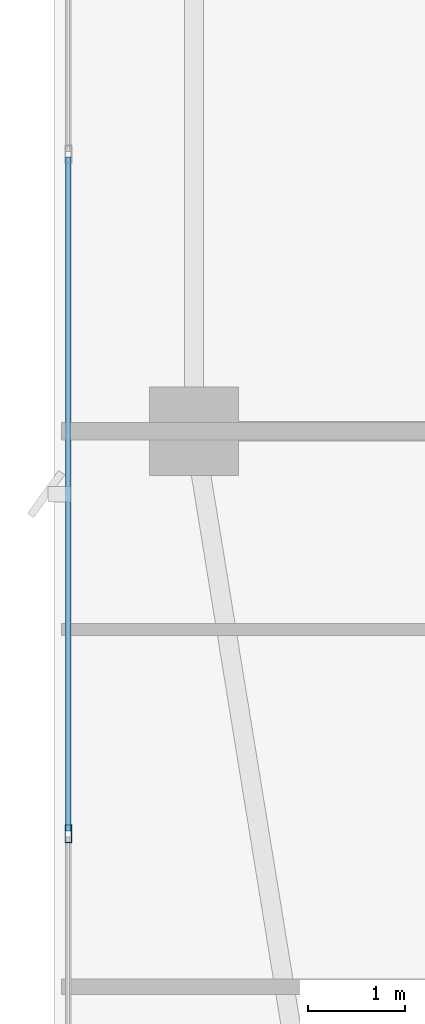
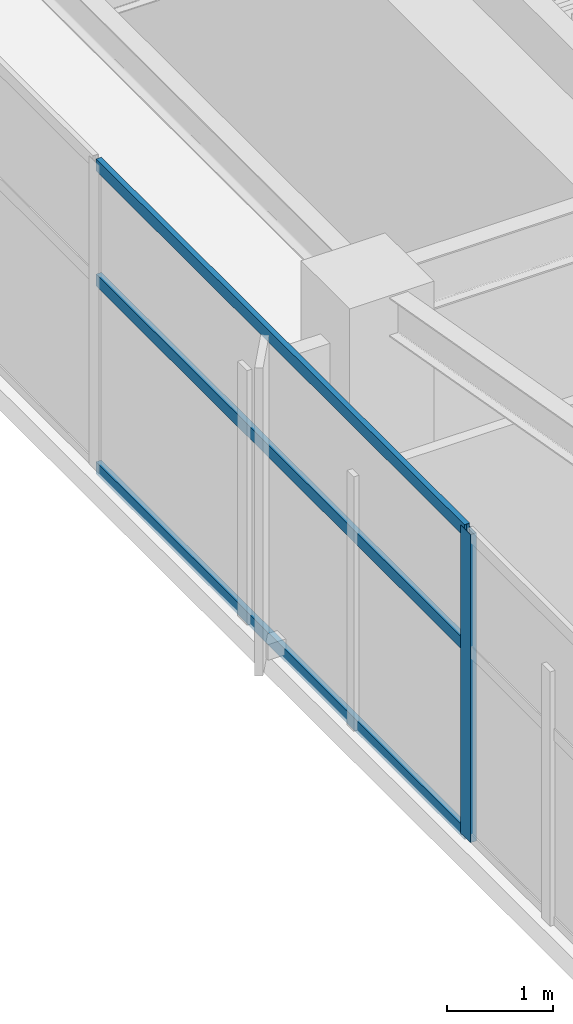
# One storey, part 4 of 30: 4 members, 1 element without a shape of its own.
"""IFC4 building model written with IfcOpenShell, lengths in metres."""

from ifc_helpers import new_model, si_unit, direction, frame, origin, origin_2d, place, context, subcontext, project, spatial, hollow_rectangle, extrude, material, layer, layer_set, material_profile, profile_set, type_object, element, aggregate, save


model = new_model("IFC4")

# Units and contexts
model_context = context("Model", 3, precision=1e-05, world=origin(), true_north=direction((0.0, 1.0)))
body_context = subcontext(model_context, "Body", "Model", "MODEL_VIEW")
ifc_project = project(units=[si_unit("LENGTHUNIT", "METRE"), si_unit("AREAUNIT", "SQUARE_METRE"), si_unit("VOLUMEUNIT", "CUBIC_METRE"), si_unit("PLANEANGLEUNIT", "RADIAN"), si_unit("MASSUNIT", "GRAM", prefix="KILO")], contexts=[model_context])

# Site, building, storey
site_placement = place(None, origin())
site = spatial("IfcSite", under=ifc_project, at=site_placement, CompositionType="ELEMENT")
building_placement = place(site_placement, origin())
building = spatial("IfcBuilding", under=site, at=building_placement, Name="Calvorn Quay Hotel", CompositionType="ELEMENT")
storey_placement = place(building_placement, frame((0.0, 0.0, 207.199951171875)))
storey = spatial("IfcBuildingStorey", under=building, at=storey_placement, Name="L51", CompositionType="ELEMENT", Elevation=207.199951171875)

# Curtain wall, members
ifc_material_1 = material(Name="Champagne Bronze Anodised Aluminium and Low-E Glass", Category="aluminium")
ifc_layer = layer(ifc_material_1, 0.219970703125)
ifc_layer_set = layer_set([ifc_layer], Name="CW-SYS-Z3")
curtain_wall_type = type_object("IfcCurtainWallType", Name="CW-SYS-Z3", PredefinedType="NOTDEFINED", material=ifc_layer_set)
curtain_wall_placement = place(storey_placement, origin())
curtain_wall = element("IfcCurtainWall", 1, at=curtain_wall_placement, inside=storey, type_object=curtain_wall_type, Name="Tower West Curtain Wall (L51)", PredefinedType="NOTDEFINED")
ifc_material_2 = material(Name="Champagne Bronze Anodised Aluminium 6063-T6", Category="aluminium")
ifc_material_profile_1 = material_profile(ifc_material_2, hollow_rectangle(XDim=0.068115234375, YDim=0.18505859375, WallThickness=0.00390625, at=origin_2d()), Name="ALU-M185x68x4")
ifc_profile_set_1 = profile_set([ifc_material_profile_1], Name="Champagne Bronze Anodised Aluminium 6063-T6")
member_type_1 = type_object("IfcMemberType", Name="CW-SYS-Z3-MUL", PredefinedType="MULLION", material=ifc_profile_set_1)
member_1_placement = place(storey_placement, frame((0.14990234375, 12.63330078125, 0.0), z_axis=(0.0, 0.0, 1.0), x_axis=(-1.0, 0.0, 0.0)))
member_1 = element("IfcMember", 2, at=member_1_placement, type_object=member_type_1, Name="CW-L51-W mullion 2", PredefinedType="MULLION", context=body_context, shape_type="SweptSolid", body=[
    extrude(hollow_rectangle(XDim=0.068115234375, YDim=0.18505859375, WallThickness=0.00390625, at=origin_2d()), origin(), (0.0, 0.0, 1.0), 3.56005859375),
])
ifc_material_3 = material(Name="Champagne Bronze Anodised Aluminium 6063-T6", Category="aluminium")
ifc_material_profile_2 = material_profile(ifc_material_3, hollow_rectangle(XDim=0.05810546875, YDim=0.139892578125, WallThickness=0.003173828125, at=origin_2d()), Name="ALU-T140x58x3.2")
ifc_profile_set_2 = profile_set([ifc_material_profile_2], Name="Champagne Bronze Anodised Aluminium 6063-T6")
member_type_2 = type_object("IfcMemberType", Name="CW-SYS-Z3-TRN", PredefinedType="USERDEFINED", material=ifc_profile_set_2)
member_2_placement = place(storey_placement, frame((0.14990234375, 12.663330078125, 0.030029296875), z_axis=(0.0, 1.0, 0.0), x_axis=(-1.0, 0.0, 0.0)))
member_2 = element("IfcMember", 3, at=member_2_placement, type_object=member_type_2, Name="CW-L51-W transom 2.1", ObjectType="TRANSOM", PredefinedType="USERDEFINED", context=body_context, shape_type="SweptSolid", body=[
    extrude(hollow_rectangle(XDim=0.05810546875, YDim=0.139892578125, WallThickness=0.003173828125, at=origin_2d()), origin(), (0.0, 0.0, 1.0), 6.973388671875),
])
member_3_placement = place(storey_placement, frame((0.14990234375, 12.663330078125, 2.199951171875), z_axis=(0.0, 1.0, 0.0), x_axis=(-1.0, 0.0, 0.0)))
member_3 = element("IfcMember", 4, at=member_3_placement, type_object=member_type_2, Name="CW-L51-W transom 2.2", ObjectType="TRANSOM", PredefinedType="USERDEFINED", context=body_context, shape_type="SweptSolid", body=[
    extrude(hollow_rectangle(XDim=0.05810546875, YDim=0.139892578125, WallThickness=0.003173828125, at=origin_2d()), origin(), (0.0, 0.0, 1.0), 6.973388671875),
])
member_4_placement = place(storey_placement, frame((0.14990234375, 12.663330078125, 3.530029296875), z_axis=(0.0, 1.0, 0.0), x_axis=(-1.0, 0.0, 0.0)))
member_4 = element("IfcMember", 5, at=member_4_placement, type_object=member_type_2, Name="CW-L51-W transom 2.3", ObjectType="TRANSOM", PredefinedType="USERDEFINED", context=body_context, shape_type="SweptSolid", body=[
    extrude(hollow_rectangle(XDim=0.05810546875, YDim=0.139892578125, WallThickness=0.003173828125, at=origin_2d()), origin(), (0.0, 0.0, 1.0), 6.973388671875),
])
aggregate(curtain_wall, [member_1, member_2, member_3, member_4])

save(model, "model.ifc")
